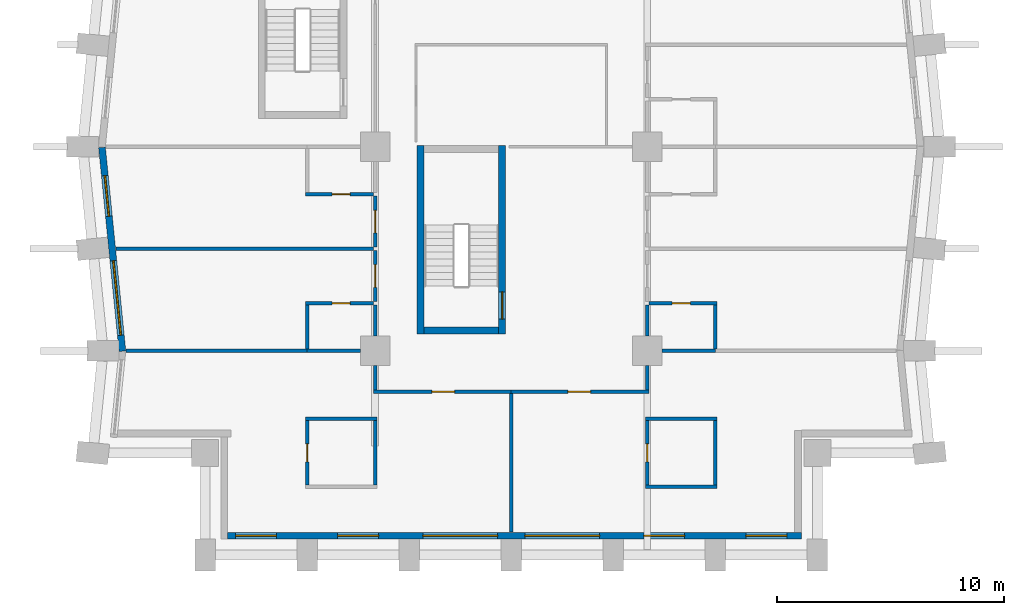
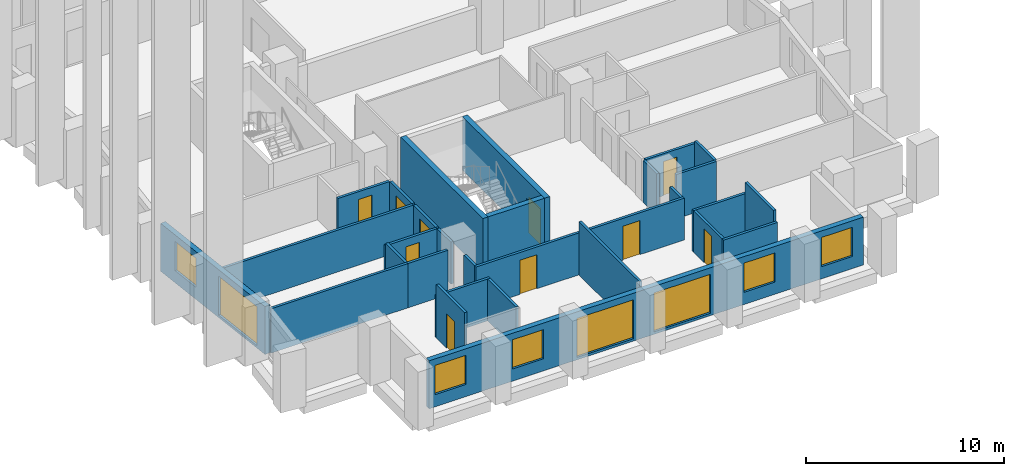
# One storey, part 3 of 13: 30 walls, 10 doors, 8 windows, 18 openings.
"""IFC4 building model written with IfcOpenShell, lengths in metres."""

from ifc_helpers import new_model, si_unit, direction, frame, frame_2d, origin, place, context, subcontext, project, spatial, rectangle, extrude, material, layer, layer_set, type_object, element, fill, save


model = new_model("IFC4")

# Units and contexts
model_context = context("Model", 3, precision=1e-05, world=origin(), true_north=direction((0.0, 1.0)))
body_context = subcontext(model_context, "Body", "Model", "MODEL_VIEW")
ifc_project = project(units=[si_unit("LENGTHUNIT", "METRE"), si_unit("AREAUNIT", "SQUARE_METRE"), si_unit("VOLUMEUNIT", "CUBIC_METRE"), si_unit("PLANEANGLEUNIT", "RADIAN"), si_unit("MASSUNIT", "GRAM", prefix="KILO")], contexts=[model_context])

# Site, building, storey
site_placement = place(None, origin())
site = spatial("IfcSite", under=ifc_project, at=site_placement, CompositionType="ELEMENT")
building_placement = place(site_placement, origin())
building = spatial("IfcBuilding", under=site, at=building_placement, Name="Brondeck Convention Tower", CompositionType="ELEMENT")
storey_placement = place(building_placement, frame((0.0, 0.0, 37.5)))
storey = spatial("IfcBuildingStorey", under=building, at=storey_placement, Name="L06", CompositionType="ELEMENT", Elevation=37.5)

# Wall, openings, windows
ifc_material_1 = material(Name="Precast concrete C50/60 bronze finish", Category="concrete")
ifc_layer_1 = layer(ifc_material_1, 0.070068359375, Name="Bronze precast facing")
ifc_material_2 = material(Name="Mineral wool")
ifc_layer_2 = layer(ifc_material_2, 0.159912109375, Name="Insulation")
ifc_material_3 = material(Name="Concrete C35/45", Category="concrete")
ifc_layer_3 = layer(ifc_material_3, 0.070068359375, Name="Backing")
ifc_layer_set_1 = layer_set([ifc_layer_1, ifc_layer_2, ifc_layer_3], Name="External infill wall, precast concrete C50/60 bronze facing")
wall_type_1 = type_object("IfcWallType", Name="External infill wall, precast concrete C50/60 bronze facing", PredefinedType="SOLIDWALL", material=ifc_layer_set_1)
wall_1_placement = place(storey_placement, frame((30.800048828125, 0.85009765625, 0.0), z_axis=(0.0, 0.0, 1.0), x_axis=(-1.0, 0.0, 0.0)))
wall_1 = element("IfcWall", 1, at=wall_1_placement, inside=storey, type_object=wall_type_1, Name="ENV-EW-L06-P0-B-S0-01", PredefinedType="SOLIDWALL", context=body_context, shape_type="SweptSolid", body=[
    extrude(rectangle(XDim=25.300048828125, YDim=0.300048828125, at=frame_2d((12.64990234375, 0.0))), origin(), (0.0, 0.0, 1.0), 2.949951171875),
])
opening_1_placement = place(wall_1_placement, frame((0.64990234375, 0.0, 0.75)))
opening_1 = element("IfcOpeningElement", 2, at=opening_1_placement, cuts=wall_1, Name="Opening W10", PredefinedType="OPENING", context=body_context, shape_type="SweptSolid", body=[
    extrude(rectangle(XDim=1.800048828125, YDim=1.800048828125, at=frame_2d((0.89990234375, 0.89990234375))), frame((0.0, 0.159912109375, 0.0), z_axis=(0.0, -1.0, 0.0), x_axis=(1.0, 0.0, 0.0)), (0.0, 0.0, 1.0), 0.320068359375),
])
opening_2_placement = place(wall_1_placement, frame((5.14990234375, 0.0, 0.75)))
opening_2 = element("IfcOpeningElement", 3, at=opening_2_placement, cuts=wall_1, Name="Opening W10", PredefinedType="OPENING", context=body_context, shape_type="SweptSolid", body=[
    extrude(rectangle(XDim=1.800048828125, YDim=1.800048828125, at=frame_2d((0.89990234375, 0.89990234375))), frame((0.0, 0.159912109375, 0.0), z_axis=(0.0, -1.0, 0.0), x_axis=(1.0, 0.0, 0.0)), (0.0, 0.0, 1.0), 0.320068359375),
])
opening_3_placement = place(wall_1_placement, frame((8.89990234375, 0.0, 0.14990234375)))
opening_3 = element("IfcOpeningElement", 4, at=opening_3_placement, cuts=wall_1, Name="Opening W9", PredefinedType="OPENING", context=body_context, shape_type="SweptSolid", body=[
    extrude(rectangle(XDim=3.300048828125, YDim=2.39990234375, at=frame_2d((1.64990234375, 1.199951171875))), frame((0.0, 0.159912109375, 0.0), z_axis=(0.0, -1.0, 0.0), x_axis=(1.0, 0.0, 0.0)), (0.0, 0.0, 1.0), 0.320068359375),
])
opening_4_placement = place(wall_1_placement, frame((13.39990234375, 0.0, 0.14990234375)))
opening_4 = element("IfcOpeningElement", 5, at=opening_4_placement, cuts=wall_1, Name="Opening W9", PredefinedType="OPENING", context=body_context, shape_type="SweptSolid", body=[
    extrude(rectangle(XDim=3.300048828125, YDim=2.39990234375, at=frame_2d((1.64990234375, 1.199951171875))), frame((0.0, 0.159912109375, 0.0), z_axis=(0.0, -1.0, 0.0), x_axis=(1.0, 0.0, 0.0)), (0.0, 0.0, 1.0), 0.320068359375),
])
opening_5_placement = place(wall_1_placement, frame((18.64990234375, 0.0, 0.75)))
opening_5 = element("IfcOpeningElement", 6, at=opening_5_placement, cuts=wall_1, Name="Opening W10", PredefinedType="OPENING", context=body_context, shape_type="SweptSolid", body=[
    extrude(rectangle(XDim=1.800048828125, YDim=1.800048828125, at=frame_2d((0.89990234375, 0.89990234375))), frame((0.0, 0.159912109375, 0.0), z_axis=(0.0, -1.0, 0.0), x_axis=(1.0, 0.0, 0.0)), (0.0, 0.0, 1.0), 0.320068359375),
])
opening_6_placement = place(wall_1_placement, frame((23.14990234375, 0.0, 0.75)))
opening_6 = element("IfcOpeningElement", 7, at=opening_6_placement, cuts=wall_1, Name="Opening W10", PredefinedType="OPENING", context=body_context, shape_type="SweptSolid", body=[
    extrude(rectangle(XDim=1.800048828125, YDim=1.800048828125, at=frame_2d((0.89990234375, 0.89990234375))), frame((0.0, 0.159912109375, 0.0), z_axis=(0.0, -1.0, 0.0), x_axis=(1.0, 0.0, 0.0)), (0.0, 0.0, 1.0), 0.320068359375),
])
ifc_material_4 = material(Name="Bronze tinted double glazing", Category="glass")
window_type_1 = type_object("IfcWindowType", Name="Glazed flute window, bronze tinted", PartitioningType="SINGLE_PANEL", PredefinedType="WINDOW", material=ifc_material_4)
window_1_placement = place(opening_3_placement, origin())
window_1 = element("IfcWindow", 8, at=window_1_placement, inside=storey, type_object=window_type_1, Name="ENV-WN-L06-P0-B-S0-04", OverallHeight=2.39990234375, OverallWidth=3.300048828125, PartitioningType="SINGLE_PANEL", PredefinedType="WINDOW", context=body_context, shape_type="SweptSolid", body=[
    extrude(rectangle(XDim=3.300048828125, YDim=2.39990234375, at=frame_2d((1.64990234375, 1.199951171875))), frame((0.0, 0.030029296875, 0.0), z_axis=(0.0, -1.0, 0.0), x_axis=(1.0, 0.0, 0.0)), (0.0, 0.0, 1.0), 0.06005859375),
])
fill(opening_3, window_1)
window_2_placement = place(opening_4_placement, origin())
window_2 = element("IfcWindow", 9, at=window_2_placement, inside=storey, type_object=window_type_1, Name="ENV-WN-L06-P0-B-S0-03", OverallHeight=2.39990234375, OverallWidth=3.300048828125, PartitioningType="SINGLE_PANEL", PredefinedType="WINDOW", context=body_context, shape_type="SweptSolid", body=[
    extrude(rectangle(XDim=3.300048828125, YDim=2.39990234375, at=frame_2d((1.64990234375, 1.199951171875))), frame((0.0, 0.030029296875, 0.0), z_axis=(0.0, -1.0, 0.0), x_axis=(1.0, 0.0, 0.0)), (0.0, 0.0, 1.0), 0.06005859375),
])
fill(opening_4, window_2)
window_type_2 = type_object("IfcWindowType", Name="Punched window, bronze tinted", PartitioningType="SINGLE_PANEL", PredefinedType="WINDOW", material=ifc_material_4)
window_3_placement = place(opening_1_placement, origin())
window_3 = element("IfcWindow", 10, at=window_3_placement, inside=storey, type_object=window_type_2, Name="ENV-WN-L06-P0-B-S0-06", OverallHeight=1.800048828125, OverallWidth=1.800048828125, PartitioningType="SINGLE_PANEL", PredefinedType="WINDOW", context=body_context, shape_type="SweptSolid", body=[
    extrude(rectangle(XDim=1.800048828125, YDim=1.800048828125, at=frame_2d((0.89990234375, 0.89990234375))), frame((0.0, 0.030029296875, 0.0), z_axis=(0.0, -1.0, 0.0), x_axis=(1.0, 0.0, 0.0)), (0.0, 0.0, 1.0), 0.06005859375),
])
fill(opening_1, window_3)
window_4_placement = place(opening_2_placement, origin())
window_4 = element("IfcWindow", 11, at=window_4_placement, inside=storey, type_object=window_type_2, Name="ENV-WN-L06-P0-B-S0-05", OverallHeight=1.800048828125, OverallWidth=1.800048828125, PartitioningType="SINGLE_PANEL", PredefinedType="WINDOW", context=body_context, shape_type="SweptSolid", body=[
    extrude(rectangle(XDim=1.800048828125, YDim=1.800048828125, at=frame_2d((0.89990234375, 0.89990234375))), frame((0.0, 0.030029296875, 0.0), z_axis=(0.0, -1.0, 0.0), x_axis=(1.0, 0.0, 0.0)), (0.0, 0.0, 1.0), 0.06005859375),
])
fill(opening_2, window_4)
window_5_placement = place(opening_5_placement, origin())
window_5 = element("IfcWindow", 12, at=window_5_placement, inside=storey, type_object=window_type_2, Name="ENV-WN-L06-P0-B-S0-02", OverallHeight=1.800048828125, OverallWidth=1.800048828125, PartitioningType="SINGLE_PANEL", PredefinedType="WINDOW", context=body_context, shape_type="SweptSolid", body=[
    extrude(rectangle(XDim=1.800048828125, YDim=1.800048828125, at=frame_2d((0.89990234375, 0.89990234375))), frame((0.0, 0.030029296875, 0.0), z_axis=(0.0, -1.0, 0.0), x_axis=(1.0, 0.0, 0.0)), (0.0, 0.0, 1.0), 0.06005859375),
])
fill(opening_5, window_5)
window_6_placement = place(opening_6_placement, origin())
window_6 = element("IfcWindow", 13, at=window_6_placement, inside=storey, type_object=window_type_2, Name="ENV-WN-L06-P0-B-S0-01", OverallHeight=1.800048828125, OverallWidth=1.800048828125, PartitioningType="SINGLE_PANEL", PredefinedType="WINDOW", context=body_context, shape_type="SweptSolid", body=[
    extrude(rectangle(XDim=1.800048828125, YDim=1.800048828125, at=frame_2d((0.89990234375, 0.89990234375))), frame((0.0, 0.030029296875, 0.0), z_axis=(0.0, -1.0, 0.0), x_axis=(1.0, 0.0, 0.0)), (0.0, 0.0, 1.0), 0.06005859375),
])
fill(opening_6, window_6)

wall_2_placement = place(storey_placement, frame((0.855712890625, 8.985107421875, 0.0), z_axis=(0.0, 0.0, 1.0), x_axis=(-0.099495688264, 0.995037993253, 0.0)))
wall_2 = element("IfcWall", 14, at=wall_2_placement, inside=storey, type_object=wall_type_1, Name="ENV-EW-L06-P0-B-W-10", PredefinedType="SOLIDWALL", context=body_context, shape_type="SweptSolid", body=[
    extrude(rectangle(XDim=9.030029296875, YDim=0.300048828125, at=frame_2d((4.51513671875, 0.0))), origin(), (0.0, 0.0, 1.0), 2.949951171875),
])
opening_7_placement = place(wall_2_placement, frame((0.711181640625, 0.0, 0.14990234375)))
opening_7 = element("IfcOpeningElement", 15, at=opening_7_placement, cuts=wall_2, Name="Opening W9", PredefinedType="OPENING", context=body_context, shape_type="SweptSolid", body=[
    extrude(rectangle(XDim=3.300048828125, YDim=2.39990234375, at=frame_2d((1.64990234375, 1.199951171875))), frame((0.0, 0.159912109375, 0.0), z_axis=(0.0, -1.0, 0.0), x_axis=(1.0, 0.0, 0.0)), (0.0, 0.0, 1.0), 0.320068359375),
])
opening_8_placement = place(wall_2_placement, frame((5.983642578125, 0.0, 0.75)))
opening_8 = element("IfcOpeningElement", 16, at=opening_8_placement, cuts=wall_2, Name="Opening W10", PredefinedType="OPENING", context=body_context, shape_type="SweptSolid", body=[
    extrude(rectangle(XDim=1.800048828125, YDim=1.800048828125, at=frame_2d((0.89990234375, 0.89990234375))), frame((0.0, 0.159912109375, 0.0), z_axis=(0.0, -1.0, 0.0), x_axis=(1.0, 0.0, 0.0)), (0.0, 0.0, 1.0), 0.320068359375),
])
window_7_placement = place(opening_7_placement, origin())
window_7 = element("IfcWindow", 17, at=window_7_placement, inside=storey, type_object=window_type_1, Name="ENV-WN-L06-P0-B-W-11", OverallHeight=2.39990234375, OverallWidth=3.300048828125, PartitioningType="SINGLE_PANEL", PredefinedType="WINDOW", context=body_context, shape_type="SweptSolid", body=[
    extrude(rectangle(XDim=3.300048828125, YDim=2.39990234375, at=frame_2d((1.64990234375, 1.199951171875))), frame((0.0, 0.030029296875, 0.0), z_axis=(0.0, -1.0, 0.0), x_axis=(1.0, 0.0, 0.0)), (0.0, 0.0, 1.0), 0.06005859375),
])
fill(opening_7, window_7)
window_8_placement = place(opening_8_placement, origin())
window_8 = element("IfcWindow", 18, at=window_8_placement, inside=storey, type_object=window_type_2, Name="ENV-WN-L06-P0-B-W-10", OverallHeight=1.800048828125, OverallWidth=1.800048828125, PartitioningType="SINGLE_PANEL", PredefinedType="WINDOW", context=body_context, shape_type="SweptSolid", body=[
    extrude(rectangle(XDim=1.800048828125, YDim=1.800048828125, at=frame_2d((0.89990234375, 0.89990234375))), frame((0.0, 0.030029296875, 0.0), z_axis=(0.0, -1.0, 0.0), x_axis=(1.0, 0.0, 0.0)), (0.0, 0.0, 1.0), 0.06005859375),
])
fill(opening_8, window_8)

# Walls
ifc_material_5 = material(Name="Double gypsum board acoustic wall")
ifc_layer_4 = layer(ifc_material_5, 0.14990234375)
ifc_layer_set_2 = layer_set([ifc_layer_4], Name="Guest room party wall 150")
wall_type_2 = type_object("IfcWallType", Name="Guest room party wall 150", PredefinedType="PARTITIONING", material=ifc_layer_set_2)
wall_3_placement = place(storey_placement, frame((23.925048828125, 3.0, 0.0), z_axis=(0.0, 0.0, 1.0), x_axis=(1.0, 0.0, 0.0)))
element("IfcWall", 19, at=wall_3_placement, inside=storey, type_object=wall_type_2, Name="FLR-L06-W002", PredefinedType="PARTITIONING", context=body_context, shape_type="SweptSolid", body=[
    extrude(rectangle(XDim=3.14990234375, YDim=0.14990234375, at=frame_2d((1.574951171875, 0.0))), origin(), (0.0, 0.0, 1.0), 2.580078125),
])
wall_4_placement = place(storey_placement, frame((12.0, 3.074951171875, 0.0), z_axis=(0.0, 0.0, 1.0), x_axis=(0.0, 1.0, 0.0)))
element("IfcWall", 20, at=wall_4_placement, inside=storey, type_object=wall_type_2, Name="FLR-L06-W003", PredefinedType="PARTITIONING", context=body_context, shape_type="SweptSolid", body=[
    extrude(rectangle(XDim=2.85009765625, YDim=0.14990234375, at=frame_2d((1.425048828125, 0.0))), origin(), (0.0, 0.0, 1.0), 2.580078125),
])
wall_5_placement = place(storey_placement, frame((27.0, 3.074951171875, 0.0), z_axis=(0.0, 0.0, 1.0), x_axis=(0.0, 1.0, 0.0)))
element("IfcWall", 21, at=wall_5_placement, inside=storey, type_object=wall_type_2, Name="FLR-L06-W004", PredefinedType="PARTITIONING", context=body_context, shape_type="SweptSolid", body=[
    extrude(rectangle(XDim=2.85009765625, YDim=0.14990234375, at=frame_2d((1.425048828125, 0.0))), origin(), (0.0, 0.0, 1.0), 3.280029296875),
])

# Wall, opening, door
wall_6_placement = place(storey_placement, frame((9.0, 5.925048828125, 0.0), z_axis=(0.0, 0.0, 1.0), x_axis=(0.0, -1.0, 0.0)))
wall_6 = element("IfcWall", 22, at=wall_6_placement, inside=storey, type_object=wall_type_2, Name="FLR-L06-W005", PredefinedType="PARTITIONING", context=body_context, shape_type="SweptSolid", body=[
    extrude(rectangle(XDim=2.85009765625, YDim=0.14990234375, at=frame_2d((1.425048828125, 0.0))), origin(), (0.0, 0.0, 1.0), 3.280029296875),
])
opening_9_placement = place(wall_6_placement, frame((1.02490234375, 0.0, 0.0)))
opening_9 = element("IfcOpeningElement", 23, at=opening_9_placement, cuts=wall_6, Name="Opening H1-043", PredefinedType="OPENING", context=body_context, shape_type="SweptSolid", body=[
    extrude(rectangle(XDim=0.800048828125, YDim=2.10009765625, at=frame_2d((0.39990234375, 1.050048828125))), frame((0.0, 0.0849609375, 0.0), z_axis=(0.0, -1.0, 0.0), x_axis=(1.0, 0.0, 0.0)), (0.0, 0.0, 1.0), 0.169921875),
])
ifc_material_6 = material(Name="Solid timber door leaf", Category="wood")
door_type_1 = type_object("IfcDoorType", Name="En-suite door 800", OperationType="NOTDEFINED", PredefinedType="DOOR", material=ifc_material_6)
door_1_placement = place(opening_9_placement, origin())
door_1 = element("IfcDoor", 24, at=door_1_placement, inside=storey, type_object=door_type_1, Name="Door H1-043", OperationType="SINGLE_SWING_RIGHT", OverallHeight=2.10009765625, OverallWidth=0.800048828125, PredefinedType="DOOR", context=body_context, shape_type="SweptSolid", body=[
    extrude(rectangle(XDim=0.800048828125, YDim=2.10009765625, at=frame_2d((0.39990234375, 1.050048828125))), frame((0.0, 0.02490234375, 0.0), z_axis=(0.0, -1.0, 0.0), x_axis=(1.0, 0.0, 0.0)), (0.0, 0.0, 1.0), 0.050048828125),
])
fill(opening_9, door_1)

wall_7_placement = place(storey_placement, frame((24.0, 5.925048828125, 0.0), z_axis=(0.0, 0.0, 1.0), x_axis=(0.0, -1.0, 0.0)))
wall_7 = element("IfcWall", 25, at=wall_7_placement, inside=storey, type_object=wall_type_2, Name="FLR-L06-W006", PredefinedType="PARTITIONING", context=body_context, shape_type="SweptSolid", body=[
    extrude(rectangle(XDim=2.85009765625, YDim=0.14990234375, at=frame_2d((1.425048828125, 0.0))), origin(), (0.0, 0.0, 1.0), 2.580078125),
])
opening_10_placement = place(wall_7_placement, frame((1.02490234375, 0.0, 0.0)))
opening_10 = element("IfcOpeningElement", 26, at=opening_10_placement, cuts=wall_7, Name="Opening H1-045", PredefinedType="OPENING", context=body_context, shape_type="SweptSolid", body=[
    extrude(rectangle(XDim=0.800048828125, YDim=2.10009765625, at=frame_2d((0.39990234375, 1.050048828125))), frame((0.0, 0.0849609375, 0.0), z_axis=(0.0, -1.0, 0.0), x_axis=(1.0, 0.0, 0.0)), (0.0, 0.0, 1.0), 0.169921875),
])
door_2_placement = place(opening_10_placement, origin())
door_2 = element("IfcDoor", 27, at=door_2_placement, inside=storey, type_object=door_type_1, Name="Door H1-045", OperationType="SINGLE_SWING_RIGHT", OverallHeight=2.10009765625, OverallWidth=0.800048828125, PredefinedType="DOOR", context=body_context, shape_type="SweptSolid", body=[
    extrude(rectangle(XDim=0.800048828125, YDim=2.10009765625, at=frame_2d((0.39990234375, 1.050048828125))), frame((0.0, 0.02490234375, 0.0), z_axis=(0.0, -1.0, 0.0), x_axis=(1.0, 0.0, 0.0)), (0.0, 0.0, 1.0), 0.050048828125),
])
fill(opening_10, door_2)

# Walls
for number, where, z_axis, x_axis, name in (
    (28, (12.074951171875, 6.0, 0.0), (0.0, 0.0, 1.0), (-1.0, 0.0, 0.0), "FLR-L06-W007"),
    (29, (27.074951171875, 6.0, 0.0), (0.0, 0.0, 1.0), (-1.0, 0.0, 0.0), "FLR-L06-W008"),
):
    element("IfcWall", number, at=place(storey_placement, frame(where, z_axis=z_axis, x_axis=x_axis)), inside=storey, type_object=wall_type_2, Name=name, PredefinedType="PARTITIONING", context=body_context, shape_type="SweptSolid", body=[
        extrude(rectangle(XDim=3.14990234375, YDim=0.14990234375, at=frame_2d((1.574951171875, 0.0))), origin(), (0.0, 0.0, 1.0), 2.580078125),
    ])
wall_8_placement = place(storey_placement, frame((18.0, 7.125, 0.0), z_axis=(0.0, 0.0, 1.0), x_axis=(0.0, -1.0, 0.0)))
element("IfcWall", 30, at=wall_8_placement, inside=storey, type_object=wall_type_2, Name="FLR-L06-W009", PredefinedType="PARTITIONING", context=body_context, shape_type="SweptSolid", body=[
    extrude(rectangle(XDim=6.10498046875, YDim=0.14990234375, at=frame_2d((3.052490234375, 0.0))), origin(), (0.0, 0.0, 1.0), 3.280029296875),
])

# Wall, opening, door
wall_9_placement = place(storey_placement, frame((18.0, 7.199951171875, 0.0), z_axis=(0.0, 0.0, 1.0), x_axis=(-1.0, 0.0, 0.0)))
wall_9 = element("IfcWall", 31, at=wall_9_placement, inside=storey, type_object=wall_type_2, Name="FLR-L06-W010", PredefinedType="PARTITIONING", context=body_context, shape_type="SweptSolid", body=[
    extrude(rectangle(XDim=6.074951171875, YDim=0.14990234375, at=frame_2d((3.03759765625, 0.0))), origin(), (0.0, 0.0, 1.0), 2.580078125),
])
opening_11_placement = place(wall_9_placement, frame((2.5, 0.0, 0.0)))
opening_11 = element("IfcOpeningElement", 32, at=opening_11_placement, cuts=wall_9, Name="Opening H1-042", PredefinedType="OPENING", context=body_context, shape_type="SweptSolid", body=[
    extrude(rectangle(XDim=1.0, YDim=2.10009765625, at=frame_2d((0.5, 1.050048828125))), frame((0.0, 0.0849609375, 0.0), z_axis=(0.0, -1.0, 0.0), x_axis=(1.0, 0.0, 0.0)), (0.0, 0.0, 1.0), 0.169921875),
])
ifc_material_7 = material(Name="Solid timber fire door leaf", Category="wood")
door_type_2 = type_object("IfcDoorType", Name="Guest room door 1000", OperationType="NOTDEFINED", PredefinedType="DOOR", material=ifc_material_7)
door_3_placement = place(opening_11_placement, origin())
door_3 = element("IfcDoor", 33, at=door_3_placement, inside=storey, type_object=door_type_2, Name="Door H1-042", OperationType="SINGLE_SWING_LEFT", OverallHeight=2.10009765625, OverallWidth=1.0, PredefinedType="DOOR", context=body_context, shape_type="SweptSolid", body=[
    extrude(rectangle(XDim=1.0, YDim=2.10009765625, at=frame_2d((0.5, 1.050048828125))), frame((0.0, 0.02490234375, 0.0), z_axis=(0.0, -1.0, 0.0), x_axis=(1.0, 0.0, 0.0)), (0.0, 0.0, 1.0), 0.050048828125),
])
fill(opening_11, door_3)

wall_10_placement = place(storey_placement, frame((24.074951171875, 7.199951171875, 0.0), z_axis=(0.0, 0.0, 1.0), x_axis=(-1.0, 0.0, 0.0)))
wall_10 = element("IfcWall", 34, at=wall_10_placement, inside=storey, type_object=wall_type_2, Name="FLR-L06-W011", PredefinedType="PARTITIONING", context=body_context, shape_type="SweptSolid", body=[
    extrude(rectangle(XDim=6.074951171875, YDim=0.14990234375, at=frame_2d((3.03759765625, 0.0))), origin(), (0.0, 0.0, 1.0), 2.580078125),
])
opening_12_placement = place(wall_10_placement, frame((2.574951171875, 0.0, 0.0)))
opening_12 = element("IfcOpeningElement", 35, at=opening_12_placement, cuts=wall_10, Name="Opening H1-044", PredefinedType="OPENING", context=body_context, shape_type="SweptSolid", body=[
    extrude(rectangle(XDim=1.0, YDim=2.10009765625, at=frame_2d((0.5, 1.050048828125))), frame((0.0, 0.0849609375, 0.0), z_axis=(0.0, -1.0, 0.0), x_axis=(1.0, 0.0, 0.0)), (0.0, 0.0, 1.0), 0.169921875),
])
door_4_placement = place(opening_12_placement, origin())
door_4 = element("IfcDoor", 36, at=door_4_placement, inside=storey, type_object=door_type_2, Name="Door H1-044", OperationType="SINGLE_SWING_LEFT", OverallHeight=2.10009765625, OverallWidth=1.0, PredefinedType="DOOR", context=body_context, shape_type="SweptSolid", body=[
    extrude(rectangle(XDim=1.0, YDim=2.10009765625, at=frame_2d((0.5, 1.050048828125))), frame((0.0, 0.02490234375, 0.0), z_axis=(0.0, -1.0, 0.0), x_axis=(1.0, 0.0, 0.0)), (0.0, 0.0, 1.0), 0.050048828125),
])
fill(opening_12, door_4)

# Walls
for number, where, z_axis, x_axis, name in (
    (37, (12.0, 7.27490234375, 0.0), (0.0, 0.0, 1.0), (0.0, 1.0, 0.0), "FLR-L06-W012"),
    (38, (24.0, 8.344970703125, 0.0), (0.0, 0.0, 1.0), (0.0, -1.0, 0.0), "FLR-L06-W013"),
):
    element("IfcWall", number, at=place(storey_placement, frame(where, z_axis=z_axis, x_axis=x_axis)), inside=storey, type_object=wall_type_2, Name=name, PredefinedType="PARTITIONING", context=body_context, shape_type="SweptSolid", body=[
        extrude(rectangle(XDim=1.070068359375, YDim=0.14990234375, at=frame_2d((0.53515625, 0.0))), origin(), (0.0, 0.0, 1.0), 2.580078125),
    ])
wall_11_placement = place(storey_placement, frame((9.0, 9.0, 0.0), z_axis=(0.0, 0.0, 1.0), x_axis=(-1.0, 0.0, 0.0)))
element("IfcWall", 39, at=wall_11_placement, inside=storey, type_object=wall_type_2, Name="FLR-L06-W014", PredefinedType="PARTITIONING", context=body_context, shape_type="SweptSolid", body=[
    extrude(rectangle(XDim=7.97509765625, YDim=0.14990234375, at=frame_2d((3.987548828125, 0.0))), origin(), (0.0, 0.0, 1.0), 2.72998046875),
])
for number, where, z_axis, x_axis, name in (
    (40, (11.344970703125, 9.0, 0.0), (0.0, 0.0, 1.0), (-1.0, 0.0, 0.0), "FLR-L06-W015"),
    (41, (27.0, 9.0, 0.0), (0.0, 0.0, 1.0), (-1.0, 0.0, 0.0), "FLR-L06-W016"),
):
    element("IfcWall", number, at=place(storey_placement, frame(where, z_axis=z_axis, x_axis=x_axis)), inside=storey, type_object=wall_type_2, Name=name, PredefinedType="PARTITIONING", context=body_context, shape_type="SweptSolid", body=[
        extrude(rectangle(XDim=2.344970703125, YDim=0.14990234375, at=frame_2d((1.17236328125, 0.0))), origin(), (0.0, 0.0, 1.0), 2.72998046875),
    ])
wall_12_placement = place(storey_placement, frame((27.0, 9.074951171875, 0.0), z_axis=(0.0, 0.0, 1.0), x_axis=(0.0, 1.0, 0.0)))
element("IfcWall", 42, at=wall_12_placement, inside=storey, type_object=wall_type_2, Name="FLR-L06-W018", PredefinedType="PARTITIONING", context=body_context, shape_type="SweptSolid", body=[
    extrude(rectangle(XDim=1.949951171875, YDim=0.14990234375, at=frame_2d((0.97509765625, 0.0))), origin(), (0.0, 0.0, 1.0), 2.72998046875),
])
wall_13_placement = place(storey_placement, frame((12.0, 9.655029296875, 0.0), z_axis=(0.0, 0.0, 1.0), x_axis=(0.0, 1.0, 0.0)))
element("IfcWall", 43, at=wall_13_placement, inside=storey, type_object=wall_type_2, Name="FLR-L06-W019", PredefinedType="PARTITIONING", context=body_context, shape_type="SweptSolid", body=[
    extrude(rectangle(XDim=1.369873046875, YDim=0.14990234375, at=frame_2d((0.68505859375, 0.0))), origin(), (0.0, 0.0, 1.0), 2.580078125),
])
wall_14_placement = place(storey_placement, frame((9.0, 11.02490234375, 0.0), z_axis=(0.0, 0.0, 1.0), x_axis=(0.0, -1.0, 0.0)))
element("IfcWall", 44, at=wall_14_placement, inside=storey, type_object=wall_type_2, Name="FLR-L06-W020", PredefinedType="PARTITIONING", context=body_context, shape_type="SweptSolid", body=[
    extrude(rectangle(XDim=1.949951171875, YDim=0.14990234375, at=frame_2d((0.97509765625, 0.0))), origin(), (0.0, 0.0, 1.0), 2.72998046875),
])
wall_15_placement = place(storey_placement, frame((24.0, 11.02490234375, 0.0), z_axis=(0.0, 0.0, 1.0), x_axis=(0.0, -1.0, 0.0)))
element("IfcWall", 45, at=wall_15_placement, inside=storey, type_object=wall_type_2, Name="FLR-L06-W021", PredefinedType="PARTITIONING", context=body_context, shape_type="SweptSolid", body=[
    extrude(rectangle(XDim=1.369873046875, YDim=0.14990234375, at=frame_2d((0.68505859375, 0.0))), origin(), (0.0, 0.0, 1.0), 2.580078125),
])

# Wall, opening, door
wall_16_placement = place(storey_placement, frame((11.925048828125, 11.10009765625, 0.0), z_axis=(0.0, 0.0, 1.0), x_axis=(-1.0, 0.0, 0.0)))
wall_16 = element("IfcWall", 46, at=wall_16_placement, inside=storey, type_object=wall_type_2, Name="FLR-L06-W022", PredefinedType="PARTITIONING", context=body_context, shape_type="SweptSolid", body=[
    extrude(rectangle(XDim=3.0, YDim=0.14990234375, at=frame_2d((1.5, 0.0))), origin(), (0.0, 0.0, 1.0), 2.580078125),
])
opening_13_placement = place(wall_16_placement, frame((1.02490234375, 0.0, 0.0)))
opening_13 = element("IfcOpeningElement", 47, at=opening_13_placement, cuts=wall_16, Name="Opening H1-034", PredefinedType="OPENING", context=body_context, shape_type="SweptSolid", body=[
    extrude(rectangle(XDim=0.800048828125, YDim=2.10009765625, at=frame_2d((0.39990234375, 1.050048828125))), frame((0.0, 0.0849609375, 0.0), z_axis=(0.0, -1.0, 0.0), x_axis=(1.0, 0.0, 0.0)), (0.0, 0.0, 1.0), 0.169921875),
])
door_5_placement = place(opening_13_placement, origin())
door_5 = element("IfcDoor", 48, at=door_5_placement, inside=storey, type_object=door_type_1, Name="Door H1-034", OperationType="SINGLE_SWING_LEFT", OverallHeight=2.10009765625, OverallWidth=0.800048828125, PredefinedType="DOOR", context=body_context, shape_type="SweptSolid", body=[
    extrude(rectangle(XDim=0.800048828125, YDim=2.10009765625, at=frame_2d((0.39990234375, 1.050048828125))), frame((0.0, 0.02490234375, 0.0), z_axis=(0.0, -1.0, 0.0), x_axis=(1.0, 0.0, 0.0)), (0.0, 0.0, 1.0), 0.050048828125),
])
fill(opening_13, door_5)

wall_17_placement = place(storey_placement, frame((27.074951171875, 11.10009765625, 0.0), z_axis=(0.0, 0.0, 1.0), x_axis=(-1.0, 0.0, 0.0)))
wall_17 = element("IfcWall", 49, at=wall_17_placement, inside=storey, type_object=wall_type_2, Name="FLR-L06-W023", PredefinedType="PARTITIONING", context=body_context, shape_type="SweptSolid", body=[
    extrude(rectangle(XDim=3.0, YDim=0.14990234375, at=frame_2d((1.5, 0.0))), origin(), (0.0, 0.0, 1.0), 2.580078125),
])
opening_14_placement = place(wall_17_placement, frame((1.175048828125, 0.0, 0.0)))
opening_14 = element("IfcOpeningElement", 50, at=opening_14_placement, cuts=wall_17, Name="Opening H1-040", PredefinedType="OPENING", context=body_context, shape_type="SweptSolid", body=[
    extrude(rectangle(XDim=0.800048828125, YDim=2.10009765625, at=frame_2d((0.39990234375, 1.050048828125))), frame((0.0, 0.0849609375, 0.0), z_axis=(0.0, -1.0, 0.0), x_axis=(1.0, 0.0, 0.0)), (0.0, 0.0, 1.0), 0.169921875),
])
door_6_placement = place(opening_14_placement, origin())
door_6 = element("IfcDoor", 51, at=door_6_placement, inside=storey, type_object=door_type_1, Name="Door H1-040", OperationType="SINGLE_SWING_LEFT", OverallHeight=2.10009765625, OverallWidth=0.800048828125, PredefinedType="DOOR", context=body_context, shape_type="SweptSolid", body=[
    extrude(rectangle(XDim=0.800048828125, YDim=2.10009765625, at=frame_2d((0.39990234375, 1.050048828125))), frame((0.0, 0.02490234375, 0.0), z_axis=(0.0, -1.0, 0.0), x_axis=(1.0, 0.0, 0.0)), (0.0, 0.0, 1.0), 0.050048828125),
])
fill(opening_14, door_6)

wall_18_placement = place(storey_placement, frame((12.0, 11.175048828125, 0.0), z_axis=(0.0, 0.0, 1.0), x_axis=(0.0, 1.0, 0.0)))
wall_18 = element("IfcWall", 52, at=wall_18_placement, inside=storey, type_object=wall_type_2, Name="FLR-L06-W024", PredefinedType="PARTITIONING", context=body_context, shape_type="SweptSolid", body=[
    extrude(rectangle(XDim=2.25, YDim=0.14990234375, at=frame_2d((1.125, 0.0))), origin(), (0.0, 0.0, 1.0), 2.580078125),
])
opening_15_placement = place(wall_18_placement, frame((0.625, 0.0, 0.0)))
opening_15 = element("IfcOpeningElement", 53, at=opening_15_placement, cuts=wall_18, Name="Opening H1-033", PredefinedType="OPENING", context=body_context, shape_type="SweptSolid", body=[
    extrude(rectangle(XDim=1.0, YDim=2.10009765625, at=frame_2d((0.5, 1.050048828125))), frame((0.0, 0.0849609375, 0.0), z_axis=(0.0, -1.0, 0.0), x_axis=(1.0, 0.0, 0.0)), (0.0, 0.0, 1.0), 0.169921875),
])
door_7_placement = place(opening_15_placement, origin())
door_7 = element("IfcDoor", 54, at=door_7_placement, inside=storey, type_object=door_type_2, Name="Door H1-033", OperationType="SINGLE_SWING_LEFT", OverallHeight=2.10009765625, OverallWidth=1.0, PredefinedType="DOOR", context=body_context, shape_type="SweptSolid", body=[
    extrude(rectangle(XDim=1.0, YDim=2.10009765625, at=frame_2d((0.5, 1.050048828125))), frame((0.0, 0.02490234375, 0.0), z_axis=(0.0, -1.0, 0.0), x_axis=(1.0, 0.0, 0.0)), (0.0, 0.0, 1.0), 0.050048828125),
])
fill(opening_15, door_7)

# Wall
wall_19_placement = place(storey_placement, frame((11.925048828125, 13.5, 0.0), z_axis=(0.0, 0.0, 1.0), x_axis=(-1.0, 0.0, 0.0)))
element("IfcWall", 55, at=wall_19_placement, inside=storey, type_object=wall_type_2, Name="FLR-L06-W026", PredefinedType="PARTITIONING", context=body_context, shape_type="SweptSolid", body=[
    extrude(rectangle(XDim=11.35009765625, YDim=0.14990234375, at=frame_2d((5.675048828125, 0.0))), origin(), (0.0, 0.0, 1.0), 2.580078125),
])

# Wall, opening, door
wall_20_placement = place(storey_placement, frame((12.0, 13.574951171875, 0.0), z_axis=(0.0, 0.0, 1.0), x_axis=(0.0, 1.0, 0.0)))
wall_20 = element("IfcWall", 56, at=wall_20_placement, inside=storey, type_object=wall_type_2, Name="FLR-L06-W028", PredefinedType="PARTITIONING", context=body_context, shape_type="SweptSolid", body=[
    extrude(rectangle(XDim=2.25, YDim=0.14990234375, at=frame_2d((1.125, 0.0))), origin(), (0.0, 0.0, 1.0), 2.580078125),
])
opening_16_placement = place(wall_20_placement, frame((0.625, 0.0, 0.0)))
opening_16 = element("IfcOpeningElement", 57, at=opening_16_placement, cuts=wall_20, Name="Opening H1-031", PredefinedType="OPENING", context=body_context, shape_type="SweptSolid", body=[
    extrude(rectangle(XDim=1.0, YDim=2.10009765625, at=frame_2d((0.5, 1.050048828125))), frame((0.0, 0.0849609375, 0.0), z_axis=(0.0, -1.0, 0.0), x_axis=(1.0, 0.0, 0.0)), (0.0, 0.0, 1.0), 0.169921875),
])
door_8_placement = place(opening_16_placement, origin())
door_8 = element("IfcDoor", 58, at=door_8_placement, inside=storey, type_object=door_type_2, Name="Door H1-031", OperationType="SINGLE_SWING_LEFT", OverallHeight=2.10009765625, OverallWidth=1.0, PredefinedType="DOOR", context=body_context, shape_type="SweptSolid", body=[
    extrude(rectangle(XDim=1.0, YDim=2.10009765625, at=frame_2d((0.5, 1.050048828125))), frame((0.0, 0.02490234375, 0.0), z_axis=(0.0, -1.0, 0.0), x_axis=(1.0, 0.0, 0.0)), (0.0, 0.0, 1.0), 0.050048828125),
])
fill(opening_16, door_8)

wall_21_placement = place(storey_placement, frame((8.925048828125, 15.89990234375, 0.0), z_axis=(0.0, 0.0, 1.0), x_axis=(1.0, 0.0, 0.0)))
wall_21 = element("IfcWall", 59, at=wall_21_placement, inside=storey, type_object=wall_type_2, Name="FLR-L06-W030", PredefinedType="PARTITIONING", context=body_context, shape_type="SweptSolid", body=[
    extrude(rectangle(XDim=3.0, YDim=0.14990234375, at=frame_2d((1.5, 0.0))), origin(), (0.0, 0.0, 1.0), 2.580078125),
])
opening_17_placement = place(wall_21_placement, frame((1.175048828125, 0.0, 0.0)))
opening_17 = element("IfcOpeningElement", 60, at=opening_17_placement, cuts=wall_21, Name="Opening H1-032", PredefinedType="OPENING", context=body_context, shape_type="SweptSolid", body=[
    extrude(rectangle(XDim=0.800048828125, YDim=2.10009765625, at=frame_2d((0.39990234375, 1.050048828125))), frame((0.0, 0.0849609375, 0.0), z_axis=(0.0, -1.0, 0.0), x_axis=(1.0, 0.0, 0.0)), (0.0, 0.0, 1.0), 0.169921875),
])
door_9_placement = place(opening_17_placement, origin())
door_9 = element("IfcDoor", 61, at=door_9_placement, inside=storey, type_object=door_type_1, Name="Door H1-032", OperationType="SINGLE_SWING_LEFT", OverallHeight=2.10009765625, OverallWidth=0.800048828125, PredefinedType="DOOR", context=body_context, shape_type="SweptSolid", body=[
    extrude(rectangle(XDim=0.800048828125, YDim=2.10009765625, at=frame_2d((0.39990234375, 1.050048828125))), frame((0.0, 0.02490234375, 0.0), z_axis=(0.0, -1.0, 0.0), x_axis=(1.0, 0.0, 0.0)), (0.0, 0.0, 1.0), 0.050048828125),
])
fill(opening_17, door_9)

# Walls
ifc_material_8 = material(Name="Concrete C80/95", Category="concrete")
ifc_layer_5 = layer(ifc_material_8, 0.300048828125)
ifc_layer_set_3 = layer_set([ifc_layer_5], Name="Stair enclosure wall 300 Concrete C80/95")
wall_type_3 = type_object("IfcWallType", Name="Stair enclosure wall 300 Concrete C80/95", PredefinedType="SHEAR", material=ifc_layer_set_3)
wall_22_placement = place(storey_placement, frame((14.14990234375, 9.89990234375, 0.0), z_axis=(0.0, 0.0, 1.0), x_axis=(1.0, 0.0, 0.0)))
element("IfcWall", 62, at=wall_22_placement, inside=storey, type_object=wall_type_3, Name="L06 core wall", PredefinedType="SHEAR", context=body_context, shape_type="SweptSolid", body=[
    extrude(rectangle(XDim=3.300048828125, YDim=0.300048828125, at=frame_2d((1.64990234375, 0.0))), origin(), (0.0, 0.0, 1.0), 3.300048828125),
])
wall_23_placement = place(storey_placement, frame((14.0, 9.75, 0.0), z_axis=(0.0, 0.0, 1.0), x_axis=(0.0, 1.0, 0.0)))
element("IfcWall", 63, at=wall_23_placement, inside=storey, type_object=wall_type_3, Name="L06 core wall", PredefinedType="SHEAR", context=body_context, shape_type="SweptSolid", body=[
    extrude(rectangle(XDim=8.300048828125, YDim=0.300048828125, at=frame_2d((4.14990234375, 0.0))), origin(), (0.0, 0.0, 1.0), 3.300048828125),
])

# Wall, opening, door
wall_24_placement = place(storey_placement, frame((17.60009765625, 9.75, 0.0), z_axis=(0.0, 0.0, 1.0), x_axis=(0.0, 1.0, 0.0)))
wall_24 = element("IfcWall", 64, at=wall_24_placement, inside=storey, type_object=wall_type_3, Name="L06 core wall", PredefinedType="SHEAR", context=body_context, shape_type="SweptSolid", body=[
    extrude(rectangle(XDim=8.300048828125, YDim=0.300048828125, at=frame_2d((4.14990234375, 0.0))), origin(), (0.0, 0.0, 1.0), 3.300048828125),
])
opening_18_placement = place(wall_24_placement, frame((0.64990234375, 0.0, 0.0)))
opening_18 = element("IfcOpeningElement", 65, at=opening_18_placement, cuts=wall_24, Name="Opening C08-20", PredefinedType="OPENING", context=body_context, shape_type="SweptSolid", body=[
    extrude(rectangle(XDim=1.199951171875, YDim=2.199951171875, at=frame_2d((0.60009765625, 1.10009765625))), frame((0.0, 0.159912109375, 0.0), z_axis=(0.0, -1.0, 0.0), x_axis=(1.0, 0.0, 0.0)), (0.0, 0.0, 1.0), 0.320068359375),
])
ifc_material_9 = material(Name="Steel fire door", Category="steel")
door_type_3 = type_object("IfcDoorType", Name="Stair door 1200x2200 EI 90", OperationType="NOTDEFINED", PredefinedType="DOOR", material=ifc_material_9)
door_10_placement = place(opening_18_placement, origin())
door_10 = element("IfcDoor", 66, at=door_10_placement, inside=storey, type_object=door_type_3, Name="L06 Stair door ST-BF", OperationType="SINGLE_SWING_LEFT", OverallHeight=2.199951171875, OverallWidth=1.199951171875, PredefinedType="DOOR", context=body_context, shape_type="SweptSolid", body=[
    extrude(rectangle(XDim=1.199951171875, YDim=2.199951171875, at=frame_2d((0.60009765625, 1.10009765625))), frame((0.0, 0.02490234375, 0.0), z_axis=(0.0, -1.0, 0.0), x_axis=(1.0, 0.0, 0.0)), (0.0, 0.0, 1.0), 0.050048828125),
])
fill(opening_18, door_10)

save(model, "model.ifc")
